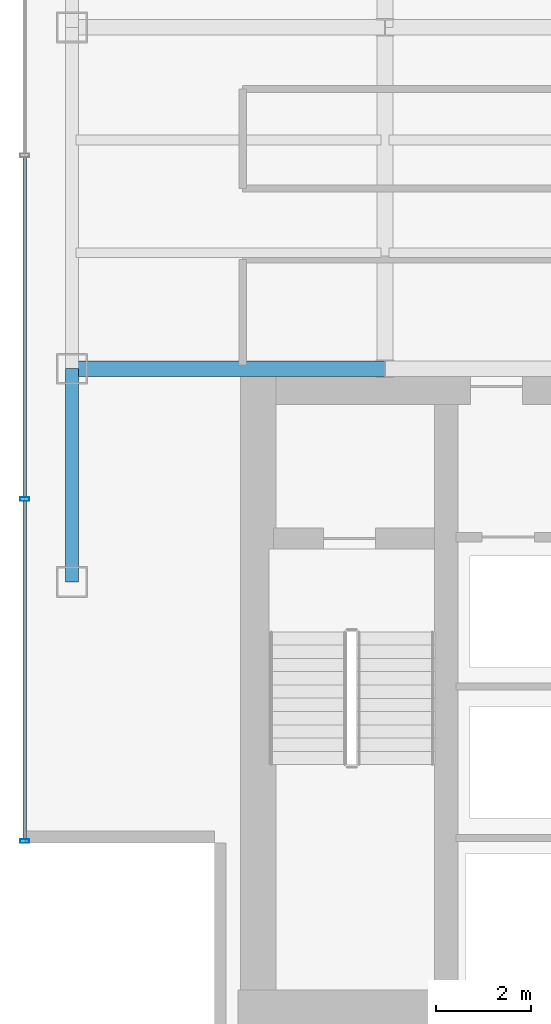
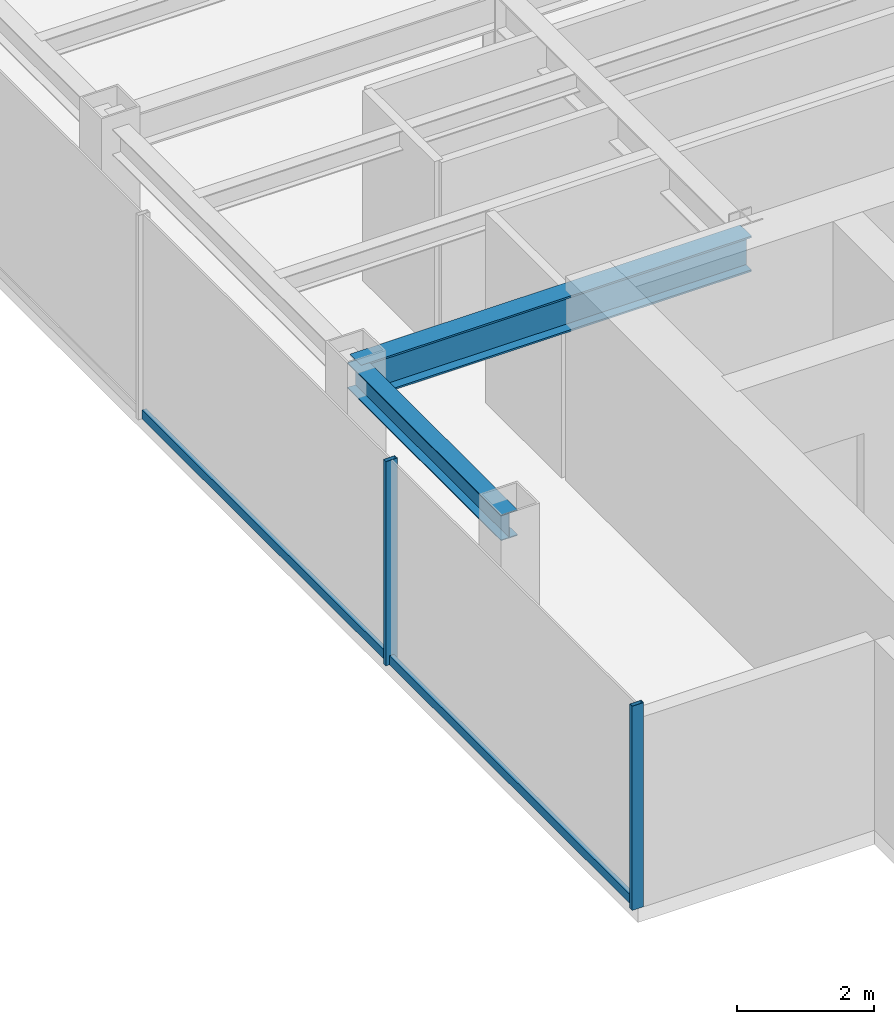
# One storey, part 3 of 25: 4 members, 2 beams, 1 element without a shape of its own.
"""IFC4 building model written with IfcOpenShell, lengths in metres."""

from ifc_helpers import new_model, si_unit, derived_unit, direction, frame, origin, origin_2d, place, context, subcontext, project, spatial, hollow_rectangle, i_section, extrude, source, transform, mapped, material, material_profile, profile_set, type_object, element, aggregate, save


model = new_model("IFC4")

# Units and contexts
model_context = context("Model", 3, precision=1e-05, world=origin(), true_north=direction((0.0, 1.0)))
body_context = subcontext(model_context, "Body", "Model", "MODEL_VIEW")
ifc_project = project(units=[si_unit("LENGTHUNIT", "METRE"), si_unit("AREAUNIT", "SQUARE_METRE"), si_unit("VOLUMEUNIT", "CUBIC_METRE"), si_unit("PLANEANGLEUNIT", "RADIAN"), si_unit("MASSUNIT", "GRAM", prefix="KILO"), derived_unit("THERMALTRANSMITTANCEUNIT", [(si_unit("POWERUNIT", "WATT"), 1), (si_unit("LENGTHUNIT", "METRE"), -2), (si_unit("THERMODYNAMICTEMPERATUREUNIT", "KELVIN"), -1)])], contexts=[model_context])

# Site, building, storey
site_placement = place(None, origin())
site = spatial("IfcSite", under=ifc_project, at=site_placement, CompositionType="ELEMENT")
building_placement = place(site_placement, origin())
building = spatial("IfcBuilding", under=site, at=building_placement, Name="Skarnbrae Concourse Arena and Tower", CompositionType="ELEMENT")
storey_placement = place(building_placement, frame((0.0, 0.0, 162.5)))
storey = spatial("IfcBuildingStorey", under=building, at=storey_placement, Name="L41", CompositionType="ELEMENT", Elevation=162.5)

# Beams
ifc_material_1 = material(Name="Steel CSA G40.21 350W", Category="steel")
ifc_material_profile_1 = material_profile(ifc_material_1, i_section(OverallWidth=0.3291015625, OverallDepth=0.635009765625, WebThickness=0.017822265625, FlangeThickness=0.031005859375, at=origin_2d()), Name="W610X241")
ifc_profile_set_1 = profile_set([ifc_material_profile_1], Name="Steel CSA G40.21 350W")
beam_type_1 = type_object("IfcBeamType", Name="BM-GIRD-W610X241", PredefinedType="BEAM", material=ifc_profile_set_1)
shared_shape_1 = source(origin(), body_context, "Body", "SweptSolid", [
    extrude(i_section(OverallWidth=0.3291015625, OverallDepth=0.635009765625, WebThickness=0.017822265625, FlangeThickness=0.031005859375, at=origin_2d()), origin(), (0.0, 0.0, 1.0), 6.60009765625),
])
beam_1_placement = place(storey_placement, frame((1.0, 14.0, 3.08251953125), z_axis=(1.0, 0.0, 0.0), x_axis=(0.0, 1.0, 0.0)))
element("IfcBeam", 1, at=beam_1_placement, inside=storey, type_object=beam_type_1, Name="L41 Primary E-W girder Y14.0-1", PredefinedType="BEAM", context=body_context, shape_type="MappedRepresentation", body=[
    mapped(shared_shape_1, transform((0.0, 0.0, 0.0))),
])
ifc_material_profile_2 = material_profile(ifc_material_1, i_section(OverallWidth=0.280029296875, OverallDepth=0.462890625, WebThickness=0.0107421875, FlangeThickness=0.017333984375, at=origin_2d()), Name="W460X113")
ifc_profile_set_2 = profile_set([ifc_material_profile_2], Name="Steel CSA G40.21 350W")
beam_type_2 = type_object("IfcBeamType", Name="BM-SPAN-W460X113", PredefinedType="SPANDREL", material=ifc_profile_set_2)
shared_shape_2 = source(origin(), body_context, "Body", "SweptSolid", [
    extrude(i_section(OverallWidth=0.280029296875, OverallDepth=0.462890625, WebThickness=0.0107421875, FlangeThickness=0.017333984375, at=origin_2d()), origin(), (0.0, 0.0, 1.0), 4.5),
])
beam_2_placement = place(storey_placement, frame((1.0, 9.5, 3.16845703125), z_axis=(0.0, 1.0, 0.0), x_axis=(-1.0, 0.0, 0.0)))
element("IfcBeam", 2, at=beam_2_placement, inside=storey, type_object=beam_type_2, Name="L41 Perimeter spandrel X1.0-1", PredefinedType="SPANDREL", context=body_context, shape_type="MappedRepresentation", body=[
    mapped(shared_shape_2, transform((0.0, 0.0, 0.0))),
])

# Curtain wall, members
ifc_material_2 = material(Name="Bronze anodised aluminium 6063-T6", Category="aluminium")
curtain_wall_type = type_object("IfcCurtainWallType", Name="CW-SYS-04-MIDZONE", PredefinedType="USERDEFINED", material=ifc_material_2)
curtain_wall_placement = place(storey_placement, origin())
curtain_wall = element("IfcCurtainWall", 3, at=curtain_wall_placement, inside=storey, type_object=curtain_wall_type, Name="L41 Unitised curtain wall CW-L41-E18", ObjectType="UNITISED CURTAIN WALL", PredefinedType="USERDEFINED")
ifc_material_profile_3 = material_profile(ifc_material_2, hollow_rectangle(XDim=0.074951171875, YDim=0.195068359375, WallThickness=0.00439453125, at=origin_2d()), Name="ALU-MULL-75X195")
ifc_profile_set_3 = profile_set([ifc_material_profile_3], Name="Bronze anodised aluminium 6063-T6")
member_type_1 = type_object("IfcMemberType", Name="CWM-CW-04", PredefinedType="MULLION", material=ifc_profile_set_3)
shared_shape_3 = source(origin(), body_context, "Body", "SweptSolid", [
    extrude(hollow_rectangle(XDim=0.074951171875, YDim=0.195068359375, WallThickness=0.00439453125, at=origin_2d()), origin(), (0.0, 0.0, 1.0), 3.64990234375),
])
member_1_placement = place(storey_placement, frame((0.0, 11.25, 0.0), z_axis=(0.0, 0.0, 1.0), x_axis=(0.0, -1.0, 0.0)))
member_1 = element("IfcMember", 4, at=member_1_placement, type_object=member_type_1, Name="CW-L41-E18 Mullion 4", PredefinedType="MULLION", context=body_context, shape_type="MappedRepresentation", body=[
    mapped(shared_shape_3, transform((0.0, 0.0, 0.0))),
])
member_2_placement = place(storey_placement, frame((0.0, 4.03759765625, 0.0), z_axis=(0.0, 0.0, 1.0), x_axis=(0.0, -1.0, 0.0)))
member_2 = element("IfcMember", 5, at=member_2_placement, type_object=member_type_1, Name="CW-L41-E18 Mullion 5", PredefinedType="MULLION", context=body_context, shape_type="MappedRepresentation", body=[
    mapped(shared_shape_3, transform((0.0, 0.0, 0.0))),
])
ifc_material_profile_4 = material_profile(ifc_material_2, hollow_rectangle(XDim=0.074951171875, YDim=0.159912109375, WallThickness=0.00439453125, at=origin_2d()), Name="ALU-TRAN-75X160")
ifc_profile_set_4 = profile_set([ifc_material_profile_4], Name="Bronze anodised aluminium 6063-T6")
member_type_2 = type_object("IfcMemberType", Name="CWT-CW-04", PredefinedType="USERDEFINED", material=ifc_profile_set_4)
shared_shape_4 = source(origin(), body_context, "Body", "SweptSolid", [
    extrude(hollow_rectangle(XDim=0.074951171875, YDim=0.159912109375, WallThickness=0.00439453125, at=origin_2d()), origin(), (0.0, 0.0, 1.0), 7.137451171875),
])
member_3_placement = place(storey_placement, frame((0.0, 11.21240234375, 0.080078125), z_axis=(0.0, -1.0, 0.0), x_axis=(1.0, 0.0, 0.0)))
member_3 = element("IfcMember", 6, at=member_3_placement, type_object=member_type_2, Name="CW-L41-E18 Transom 4", ObjectType="TRANSOM", PredefinedType="USERDEFINED", context=body_context, shape_type="MappedRepresentation", body=[
    mapped(shared_shape_4, transform((0.0, 0.0, 0.0))),
])
shared_shape_5 = source(origin(), body_context, "Body", "SweptSolid", [
    extrude(hollow_rectangle(XDim=0.074951171875, YDim=0.159912109375, WallThickness=0.00439453125, at=origin_2d()), origin(), (0.0, 0.0, 1.0), 7.1748046875),
])
member_4_placement = place(storey_placement, frame((0.0, 18.46240234375, 0.080078125), z_axis=(0.0, -1.0, 0.0), x_axis=(1.0, 0.0, 0.0)))
member_4 = element("IfcMember", 7, at=member_4_placement, type_object=member_type_2, Name="CW-L41-E18 Transom 3", ObjectType="TRANSOM", PredefinedType="USERDEFINED", context=body_context, shape_type="MappedRepresentation", body=[
    mapped(shared_shape_5, transform((0.0, 0.0, 0.0))),
])
aggregate(curtain_wall, [member_1, member_2, member_4, member_3])

save(model, "model.ifc")
